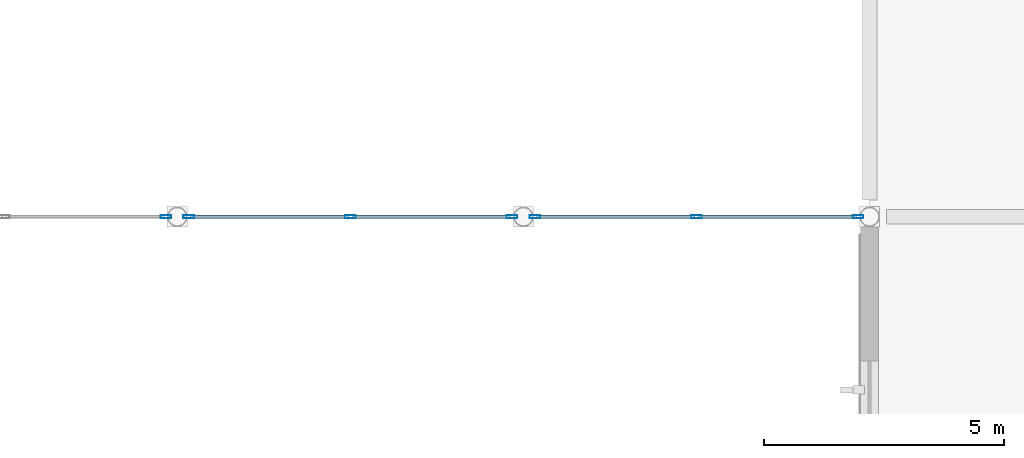
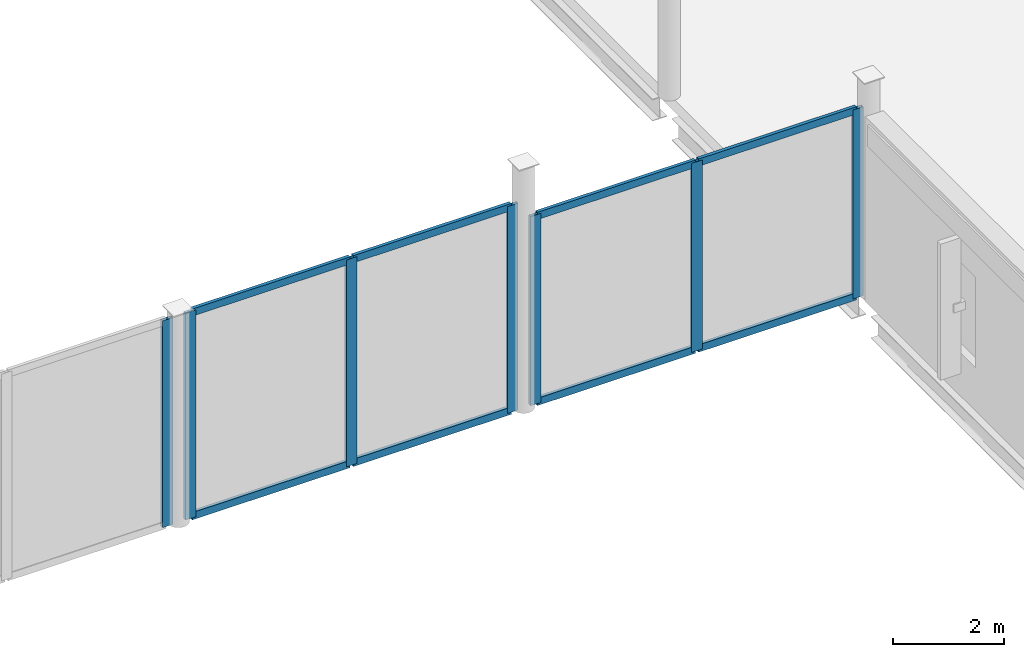
# One storey, part 75 of 120: 15 members, 3 elements without a shape of their own.
"""IFC4 building model written with IfcOpenShell, lengths in metres."""

from ifc_helpers import new_model, si_unit, direction, frame, origin, origin_2d, place, context, subcontext, project, spatial, hollow_rectangle, extrude, material, material_profile, profile_set, type_object, element, aggregate, save


model = new_model("IFC4")

# Units and contexts
model_context = context("Model", 3, precision=1e-05, world=origin(), true_north=direction((0.0, 1.0)))
body_context = subcontext(model_context, "Body", "Model", "MODEL_VIEW")
ifc_project = project(units=[si_unit("LENGTHUNIT", "METRE"), si_unit("AREAUNIT", "SQUARE_METRE"), si_unit("VOLUMEUNIT", "CUBIC_METRE"), si_unit("PLANEANGLEUNIT", "RADIAN"), si_unit("MASSUNIT", "GRAM", prefix="KILO")], contexts=[model_context])

# Site, building, storey
site_placement = place(None, origin())
site = spatial("IfcSite", under=ifc_project, at=site_placement, CompositionType="ELEMENT")
building_placement = place(site_placement, origin())
building = spatial("IfcBuilding", under=site, at=building_placement, Name="Vesperath Aquatics Centre", CompositionType="ELEMENT")
storey_placement = place(building_placement, frame((0.0, 0.0, 10.199951171875)))
storey = spatial("IfcBuildingStorey", under=building, at=storey_placement, Name="L02", CompositionType="ELEMENT", Elevation=10.199951171875)

# Curtain wall, member
ifc_material_1 = material(Name="Thermally broken anodised bronze aluminium curtain wall", Category="aluminium")
curtain_wall_type = type_object("IfcCurtainWallType", Name="CW-06", PredefinedType="NOTDEFINED", material=ifc_material_1)
curtain_wall_1_placement = place(storey_placement, origin())
curtain_wall_1 = element("IfcCurtainWall", 1, at=curtain_wall_1_placement, inside=storey, type_object=curtain_wall_type, Name="Facade Curtain Wall CW06 L02_S_17_09", PredefinedType="NOTDEFINED")
ifc_material_2 = material(Name="Thermally broken anodised aluminium", Category="aluminium")
ifc_material_profile_1 = material_profile(ifc_material_2, hollow_rectangle(XDim=0.070068359375, YDim=0.219970703125, WallThickness=0.0048828125, at=origin_2d()), Name="CWM 70x220x5")
ifc_profile_set_1 = profile_set([ifc_material_profile_1], Name="Thermally broken anodised aluminium")
member_type_1 = type_object("IfcMemberType", Name="MB-CWM2", PredefinedType="MULLION", material=ifc_profile_set_1)
member_1_placement = place(storey_placement, frame((129.36181640625, 64.800048828125, 0.0), z_axis=(0.0, 0.0, 1.0), x_axis=(0.0, 1.0, 0.0)))
member_1 = element("IfcMember", 2, at=member_1_placement, type_object=member_type_1, Name="CW06 mullion 3", PredefinedType="MULLION", context=body_context, shape_type="SweptSolid", body=[
    extrude(hollow_rectangle(XDim=0.070068359375, YDim=0.219970703125, WallThickness=0.0048828125, at=origin_2d()), origin(), (0.0, 0.0, 1.0), 4.56005859375),
])
aggregate(curtain_wall_1, [member_1])

# Curtain wall, members
curtain_wall_2_placement = place(storey_placement, origin())
curtain_wall_2 = element("IfcCurtainWall", 3, at=curtain_wall_2_placement, inside=storey, type_object=curtain_wall_type, Name="Facade Curtain Wall CW06 L02_S_18_09", PredefinedType="NOTDEFINED")
member_2_placement = place(storey_placement, frame((129.838134765625, 64.800048828125, 0.0), z_axis=(0.0, 0.0, 1.0), x_axis=(0.0, 1.0, 0.0)))
member_2 = element("IfcMember", 4, at=member_2_placement, type_object=member_type_1, Name="CW06 mullion 1", PredefinedType="MULLION", context=body_context, shape_type="SweptSolid", body=[
    extrude(hollow_rectangle(XDim=0.070068359375, YDim=0.219970703125, WallThickness=0.0048828125, at=origin_2d()), origin(), (0.0, 0.0, 1.0), 4.56005859375),
])
member_3_placement = place(storey_placement, frame((133.199951171875, 64.800048828125, 0.0), z_axis=(0.0, 0.0, 1.0), x_axis=(0.0, 1.0, 0.0)))
member_3 = element("IfcMember", 5, at=member_3_placement, type_object=member_type_1, Name="CW06 mullion 2", PredefinedType="MULLION", context=body_context, shape_type="SweptSolid", body=[
    extrude(hollow_rectangle(XDim=0.070068359375, YDim=0.219970703125, WallThickness=0.0048828125, at=origin_2d()), origin(), (0.0, 0.0, 1.0), 4.56005859375),
])
member_4_placement = place(storey_placement, frame((136.561767578125, 64.800048828125, 0.0), z_axis=(0.0, 0.0, 1.0), x_axis=(0.0, 1.0, 0.0)))
member_4 = element("IfcMember", 6, at=member_4_placement, type_object=member_type_1, Name="CW06 mullion 3", PredefinedType="MULLION", context=body_context, shape_type="SweptSolid", body=[
    extrude(hollow_rectangle(XDim=0.070068359375, YDim=0.219970703125, WallThickness=0.0048828125, at=origin_2d()), origin(), (0.0, 0.0, 1.0), 4.56005859375),
])

curtain_wall_3_placement = place(storey_placement, origin())
curtain_wall_3 = element("IfcCurtainWall", 7, at=curtain_wall_3_placement, inside=storey, type_object=curtain_wall_type, Name="Facade Curtain Wall CW06 L02_S_19_09", PredefinedType="NOTDEFINED")
member_5_placement = place(storey_placement, frame((137.0380859375, 64.800048828125, 0.0), z_axis=(0.0, 0.0, 1.0), x_axis=(0.0, 1.0, 0.0)))
member_5 = element("IfcMember", 8, at=member_5_placement, type_object=member_type_1, Name="CW06 mullion 1", PredefinedType="MULLION", context=body_context, shape_type="SweptSolid", body=[
    extrude(hollow_rectangle(XDim=0.070068359375, YDim=0.219970703125, WallThickness=0.0048828125, at=origin_2d()), origin(), (0.0, 0.0, 1.0), 4.170166015625),
])
member_6_placement = place(storey_placement, frame((140.39990234375, 64.800048828125, 0.0), z_axis=(0.0, 0.0, 1.0), x_axis=(0.0, 1.0, 0.0)))
member_6 = element("IfcMember", 9, at=member_6_placement, type_object=member_type_1, Name="CW06 mullion 2", PredefinedType="MULLION", context=body_context, shape_type="SweptSolid", body=[
    extrude(hollow_rectangle(XDim=0.070068359375, YDim=0.219970703125, WallThickness=0.0048828125, at=origin_2d()), origin(), (0.0, 0.0, 1.0), 4.170166015625),
])
member_7_placement = place(storey_placement, frame((143.76171875, 64.800048828125, 0.0), z_axis=(0.0, 0.0, 1.0), x_axis=(0.0, 1.0, 0.0)))
member_7 = element("IfcMember", 10, at=member_7_placement, type_object=member_type_1, Name="CW06 mullion 3", PredefinedType="MULLION", context=body_context, shape_type="SweptSolid", body=[
    extrude(hollow_rectangle(XDim=0.070068359375, YDim=0.219970703125, WallThickness=0.0048828125, at=origin_2d()), origin(), (0.0, 0.0, 1.0), 4.170166015625),
])

# Member
ifc_material_profile_2 = material_profile(ifc_material_2, hollow_rectangle(XDim=0.070068359375, YDim=0.159912109375, WallThickness=0.0048828125, at=origin_2d()), Name="CWT 70x160x5")
ifc_profile_set_2 = profile_set([ifc_material_profile_2], Name="Thermally broken anodised aluminium")
member_type_2 = type_object("IfcMemberType", Name="MB-CWT2", PredefinedType="USERDEFINED", material=ifc_profile_set_2)
member_8_placement = place(storey_placement, frame((129.873291015625, 64.800048828125, 0.03515625), z_axis=(1.0, 0.0, 0.0), x_axis=(0.0, 1.0, 0.0)))
member_8 = element("IfcMember", 11, at=member_8_placement, type_object=member_type_2, Name="CW06 transom 1.1", ObjectType="TRANSOM", PredefinedType="USERDEFINED", context=body_context, shape_type="SweptSolid", body=[
    extrude(hollow_rectangle(XDim=0.070068359375, YDim=0.159912109375, WallThickness=0.0048828125, at=origin_2d()), origin(), (0.0, 0.0, 1.0), 3.291748046875),
])

member_9_placement = place(storey_placement, frame((129.873291015625, 64.800048828125, 4.525146484375), z_axis=(1.0, 0.0, 0.0), x_axis=(0.0, 1.0, 0.0)))
member_9 = element("IfcMember", 12, at=member_9_placement, type_object=member_type_2, Name="CW06 transom 1.2", ObjectType="TRANSOM", PredefinedType="USERDEFINED", context=body_context, shape_type="SweptSolid", body=[
    extrude(hollow_rectangle(XDim=0.070068359375, YDim=0.159912109375, WallThickness=0.0048828125, at=origin_2d()), origin(), (0.0, 0.0, 1.0), 3.291748046875),
])

member_10_placement = place(storey_placement, frame((133.235107421875, 64.800048828125, 0.03515625), z_axis=(1.0, 0.0, 0.0), x_axis=(0.0, 1.0, 0.0)))
member_10 = element("IfcMember", 13, at=member_10_placement, type_object=member_type_2, Name="CW06 transom 2.1", ObjectType="TRANSOM", PredefinedType="USERDEFINED", context=body_context, shape_type="SweptSolid", body=[
    extrude(hollow_rectangle(XDim=0.070068359375, YDim=0.159912109375, WallThickness=0.0048828125, at=origin_2d()), origin(), (0.0, 0.0, 1.0), 3.291748046875),
])

member_11_placement = place(storey_placement, frame((133.235107421875, 64.800048828125, 4.525146484375), z_axis=(1.0, 0.0, 0.0), x_axis=(0.0, 1.0, 0.0)))
member_11 = element("IfcMember", 14, at=member_11_placement, type_object=member_type_2, Name="CW06 transom 2.2", ObjectType="TRANSOM", PredefinedType="USERDEFINED", context=body_context, shape_type="SweptSolid", body=[
    extrude(hollow_rectangle(XDim=0.070068359375, YDim=0.159912109375, WallThickness=0.0048828125, at=origin_2d()), origin(), (0.0, 0.0, 1.0), 3.291748046875),
])

aggregate(curtain_wall_2, [member_2, member_3, member_4, member_8, member_9, member_10, member_11])

member_12_placement = place(storey_placement, frame((137.0732421875, 64.800048828125, 0.03515625), z_axis=(1.0, 0.0, 0.0), x_axis=(0.0, 1.0, 0.0)))
member_12 = element("IfcMember", 15, at=member_12_placement, type_object=member_type_2, Name="CW06 transom 1.1", ObjectType="TRANSOM", PredefinedType="USERDEFINED", context=body_context, shape_type="SweptSolid", body=[
    extrude(hollow_rectangle(XDim=0.070068359375, YDim=0.159912109375, WallThickness=0.0048828125, at=origin_2d()), origin(), (0.0, 0.0, 1.0), 3.291748046875),
])

member_13_placement = place(storey_placement, frame((137.0732421875, 64.800048828125, 4.135009765625), z_axis=(1.0, 0.0, 0.0), x_axis=(0.0, 1.0, 0.0)))
member_13 = element("IfcMember", 16, at=member_13_placement, type_object=member_type_2, Name="CW06 transom 1.2", ObjectType="TRANSOM", PredefinedType="USERDEFINED", context=body_context, shape_type="SweptSolid", body=[
    extrude(hollow_rectangle(XDim=0.070068359375, YDim=0.159912109375, WallThickness=0.0048828125, at=origin_2d()), origin(), (0.0, 0.0, 1.0), 3.291748046875),
])

member_14_placement = place(storey_placement, frame((140.43505859375, 64.800048828125, 0.03515625), z_axis=(1.0, 0.0, 0.0), x_axis=(0.0, 1.0, 0.0)))
member_14 = element("IfcMember", 17, at=member_14_placement, type_object=member_type_2, Name="CW06 transom 2.1", ObjectType="TRANSOM", PredefinedType="USERDEFINED", context=body_context, shape_type="SweptSolid", body=[
    extrude(hollow_rectangle(XDim=0.070068359375, YDim=0.159912109375, WallThickness=0.0048828125, at=origin_2d()), origin(), (0.0, 0.0, 1.0), 3.291748046875),
])

member_15_placement = place(storey_placement, frame((140.43505859375, 64.800048828125, 4.135009765625), z_axis=(1.0, 0.0, 0.0), x_axis=(0.0, 1.0, 0.0)))
member_15 = element("IfcMember", 18, at=member_15_placement, type_object=member_type_2, Name="CW06 transom 2.2", ObjectType="TRANSOM", PredefinedType="USERDEFINED", context=body_context, shape_type="SweptSolid", body=[
    extrude(hollow_rectangle(XDim=0.070068359375, YDim=0.159912109375, WallThickness=0.0048828125, at=origin_2d()), origin(), (0.0, 0.0, 1.0), 3.291748046875),
])

aggregate(curtain_wall_3, [member_5, member_6, member_7, member_12, member_13, member_14, member_15])

save(model, "model.ifc")
